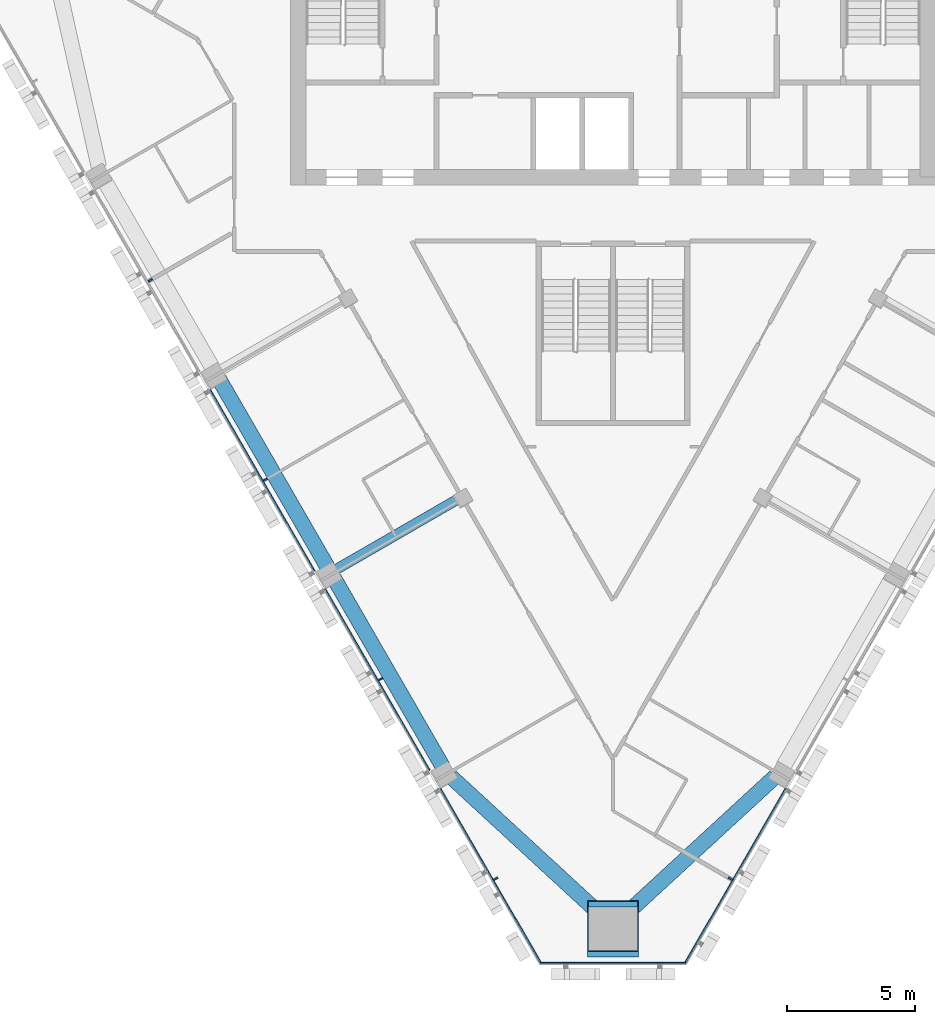
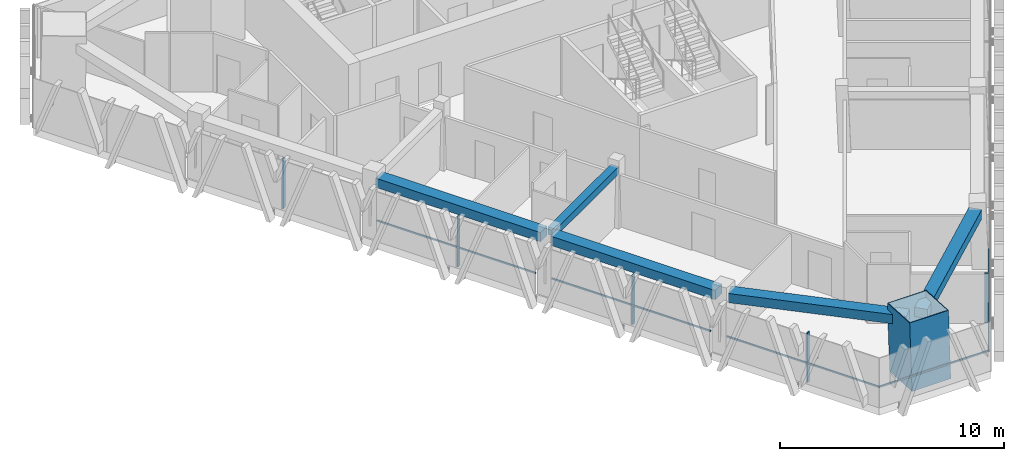
# One storey, part 2 of 14: 11 members, 5 beams, 3 elements without a shape of their own.
"""IFC4 building model written with IfcOpenShell, lengths in metres."""

from ifc_helpers import new_model, si_unit, direction, frame, origin, origin_2d, place, context, subcontext, project, spatial, rectangle, hollow_rectangle, extrude, material, layer, layer_set, material_profile, profile_set, type_object, element, aggregate, save


model = new_model("IFC4")

# Units and contexts
model_context = context("Model", 3, precision=1e-05, world=origin(), true_north=direction((0.0, 1.0)))
body_context = subcontext(model_context, "Body", "Model", "MODEL_VIEW")
ifc_project = project(units=[si_unit("LENGTHUNIT", "METRE"), si_unit("AREAUNIT", "SQUARE_METRE"), si_unit("VOLUMEUNIT", "CUBIC_METRE"), si_unit("PLANEANGLEUNIT", "RADIAN"), si_unit("MASSUNIT", "GRAM", prefix="KILO")], contexts=[model_context])

# Site, building, storey
site_placement = place(None, origin())
site = spatial("IfcSite", under=ifc_project, at=site_placement, CompositionType="ELEMENT")
building_placement = place(site_placement, origin())
building = spatial("IfcBuilding", under=site, at=building_placement, Name="Altiplano Prism Tower", CompositionType="ELEMENT")
storey_placement = place(building_placement, frame((0.0, 0.0, 226.60009765625)))
storey = spatial("IfcBuildingStorey", under=building, at=storey_placement, Name="L58", CompositionType="ELEMENT", Elevation=226.60009765625)

# Curtain wall, members
ifc_material_1 = material(Name="Aluminium and glass", Category="aluminium")
ifc_layer = layer(ifc_material_1, 0.280029296875)
ifc_layer_set = layer_set([ifc_layer], Name="Aluminium and glass")
curtain_wall_type = type_object("IfcCurtainWallType", Name="CW1 typical co-living unitised curtain wall", PredefinedType="NOTDEFINED", material=ifc_layer_set)
curtain_wall_1_placement = place(storey_placement, origin())
curtain_wall_1 = element("IfcCurtainWall", 1, at=curtain_wall_1_placement, inside=storey, type_object=curtain_wall_type, Name="CW1 curtain wall south-west face L58", PredefinedType="NOTDEFINED")
ifc_material_2 = material(Name="Aluminium", Category="aluminium")
ifc_material_profile_1 = material_profile(ifc_material_2, rectangle(XDim=0.179931640625, YDim=0.06494140625, at=origin_2d()), Name="CW1 mullion 65 x 180")
ifc_profile_set_1 = profile_set([ifc_material_profile_1], Name="Aluminium")
member_type_1 = type_object("IfcMemberType", Name="CW1 mullion 65 x 180", PredefinedType="MULLION", material=ifc_profile_set_1)
member_1_placement = place(storey_placement, frame((66.9130859375, 89.07080078125, 0.0), z_axis=(0.0, 0.0, 1.0), x_axis=(0.866025401725, 0.500000003567, 0.0)))
member_1 = element("IfcMember", 2, at=member_1_placement, type_object=member_type_1, Name="CW1 mullion", PredefinedType="MULLION", context=body_context, shape_type="SweptSolid", body=[
    extrude(rectangle(XDim=0.179931640625, YDim=0.06494140625, at=origin_2d()), origin(), (0.0, 0.0, 1.0), 2.699951171875),
])
member_2_placement = place(storey_placement, frame((71.4130859375, 81.276611328125, 0.0), z_axis=(0.0, 0.0, 1.0), x_axis=(0.866025401725, 0.500000003567, 0.0)))
member_2 = element("IfcMember", 3, at=member_2_placement, type_object=member_type_1, Name="CW1 mullion", PredefinedType="MULLION", context=body_context, shape_type="SweptSolid", body=[
    extrude(rectangle(XDim=0.179931640625, YDim=0.06494140625, at=origin_2d()), origin(), (0.0, 0.0, 1.0), 2.699951171875),
])
member_3_placement = place(storey_placement, frame((75.9130859375, 73.482421875, 0.0), z_axis=(0.0, 0.0, 1.0), x_axis=(0.866025401725, 0.500000003567, 0.0)))
member_3 = element("IfcMember", 4, at=member_3_placement, type_object=member_type_1, Name="CW1 mullion", PredefinedType="MULLION", context=body_context, shape_type="SweptSolid", body=[
    extrude(rectangle(XDim=0.179931640625, YDim=0.06494140625, at=origin_2d()), origin(), (0.0, 0.0, 1.0), 2.699951171875),
])
member_4_placement = place(storey_placement, frame((80.4130859375, 65.688232421875, 0.0), z_axis=(0.0, 0.0, 1.0), x_axis=(0.866025401725, 0.500000003567, 0.0)))
member_4 = element("IfcMember", 5, at=member_4_placement, type_object=member_type_1, Name="CW1 mullion", PredefinedType="MULLION", context=body_context, shape_type="SweptSolid", body=[
    extrude(rectangle(XDim=0.179931640625, YDim=0.06494140625, at=origin_2d()), origin(), (0.0, 0.0, 1.0), 2.699951171875),
])

# Curtain wall, member
curtain_wall_2_placement = place(storey_placement, origin())
curtain_wall_2 = element("IfcCurtainWall", 6, at=curtain_wall_2_placement, inside=storey, type_object=curtain_wall_type, Name="CW1 curtain wall south-east face L58", PredefinedType="NOTDEFINED")
member_5_placement = place(storey_placement, frame((89.5869140625, 65.688232421875, 0.0), z_axis=(0.0, 0.0, 1.0), x_axis=(-0.866025401725, 0.500000003567, 0.0)))
member_5 = element("IfcMember", 7, at=member_5_placement, type_object=member_type_1, Name="CW1 mullion", PredefinedType="MULLION", context=body_context, shape_type="SweptSolid", body=[
    extrude(rectangle(XDim=0.179931640625, YDim=0.06494140625, at=origin_2d()), origin(), (0.0, 0.0, 1.0), 2.699951171875),
])

# Member
ifc_material_profile_2 = material_profile(ifc_material_2, rectangle(XDim=0.06005859375, YDim=0.080078125, at=origin_2d()), Name="CW1 transom 80 x 60")
ifc_profile_set_2 = profile_set([ifc_material_profile_2], Name="Aluminium")
member_type_2 = type_object("IfcMemberType", Name="CW1 transom 80 x 60", PredefinedType="USERDEFINED", material=ifc_profile_set_2)
member_6_placement = place(storey_placement, frame((69.246826171875, 84.78857421875, 1.099853515625), z_axis=(0.499995783154, -0.866027838368, 0.0), x_axis=(0.866027838368, 0.499995783154, 0.0)))
member_6 = element("IfcMember", 8, at=member_6_placement, type_object=member_type_2, Name="CW1 transom", ObjectType="TRANSOM", PredefinedType="USERDEFINED", context=body_context, shape_type="SweptSolid", body=[
    extrude(rectangle(XDim=0.06005859375, YDim=0.080078125, at=origin_2d()), origin(), (0.0, 0.0, 1.0), 8.169921875),
])

member_7_placement = place(storey_placement, frame((73.746826171875, 76.994140625, 1.099853515625), z_axis=(0.500008722908, -0.866020367552, 0.0), x_axis=(0.866020367552, 0.500008722908, 0.0)))
member_7 = element("IfcMember", 9, at=member_7_placement, type_object=member_type_2, Name="CW1 transom", ObjectType="TRANSOM", PredefinedType="USERDEFINED", context=body_context, shape_type="SweptSolid", body=[
    extrude(rectangle(XDim=0.06005859375, YDim=0.080078125, at=origin_2d()), origin(), (0.0, 0.0, 1.0), 8.169677734375),
])

member_8_placement = place(storey_placement, frame((78.246826171875, 69.199951171875, 1.099853515625), z_axis=(0.499993700073, -0.866029041019, 0.0), x_axis=(0.866029041019, 0.499993700073, 0.0)))
member_8 = element("IfcMember", 10, at=member_8_placement, type_object=member_type_2, Name="CW1 transom", ObjectType="TRANSOM", PredefinedType="USERDEFINED", context=body_context, shape_type="SweptSolid", body=[
    extrude(rectangle(XDim=0.06005859375, YDim=0.080078125, at=origin_2d()), origin(), (0.0, 0.0, 1.0), 7.89501953125),
])

aggregate(curtain_wall_1, [member_1, member_2, member_6, member_3, member_7, member_4, member_8])

# Curtain wall, member
curtain_wall_3_placement = place(storey_placement, origin())
curtain_wall_3 = element("IfcCurtainWall", 11, at=curtain_wall_3_placement, inside=storey, type_object=curtain_wall_type, Name="CW1 curtain wall south chamfer L58", PredefinedType="NOTDEFINED")
member_9_placement = place(storey_placement, frame((82.1337890625, 62.397705078125, 1.099853515625), z_axis=(1.0, 0.0, 0.0), x_axis=(0.0, 1.0, 0.0)))
member_9 = element("IfcMember", 12, at=member_9_placement, type_object=member_type_2, Name="CW1 transom", ObjectType="TRANSOM", PredefinedType="USERDEFINED", context=body_context, shape_type="SweptSolid", body=[
    extrude(rectangle(XDim=0.06005859375, YDim=0.080078125, at=origin_2d()), origin(), (0.0, 0.0, 1.0), 5.732421875),
])
aggregate(curtain_wall_3, [member_9])

# Member
member_10_placement = place(storey_placement, frame((87.8056640625, 62.362548828125, 1.099853515625), z_axis=(0.499993700073, 0.866029041019, 0.0), x_axis=(-0.866029041019, 0.499993700073, 0.0)))
member_10 = element("IfcMember", 13, at=member_10_placement, type_object=member_type_2, Name="CW1 transom", ObjectType="TRANSOM", PredefinedType="USERDEFINED", context=body_context, shape_type="SweptSolid", body=[
    extrude(rectangle(XDim=0.06005859375, YDim=0.080078125, at=origin_2d()), origin(), (0.0, 0.0, 1.0), 7.89501953125),
])

aggregate(curtain_wall_2, [member_5, member_10])

# Beams
ifc_material_3 = material(Name="Concrete C60/75", Category="concrete")
ifc_material_profile_3 = material_profile(ifc_material_3, rectangle(XDim=0.60009765625, YDim=0.5, at=origin_2d()), Name="Edge beam 600x500")
ifc_profile_set_3 = profile_set([ifc_material_profile_3], Name="Concrete C60/75")
beam_type_1 = type_object("IfcBeamType", Name="Edge beam 600x500", PredefinedType="SPANDREL", material=ifc_profile_set_3)
for number, where, z_axis, x_axis, name in (
    (14, (69.595703125, 85.221435546875, 2.949951171875), (0.49998963237, -0.866031389456, 0.0), (0.866031389456, 0.49998963237, 0.0), "Edge beam P12-P13 L59"),
    (15, (74.095703125, 77.42724609375, 2.949951171875), (0.49998963237, -0.866031389456, 0.0), (0.866031389456, 0.49998963237, 0.0), "Edge beam P13-P14 L59"),
):
    element("IfcBeam", number, at=place(storey_placement, frame(where, z_axis=z_axis, x_axis=x_axis)), inside=storey, type_object=beam_type_1, Name=name, PredefinedType="SPANDREL", context=body_context, shape_type="SweptSolid", body=[
        extrude(rectangle(XDim=0.60009765625, YDim=0.5, at=origin_2d()), origin(), (0.0, 0.0, 1.0), 8.489990234375),
    ])
for number, where, z_axis, x_axis, name in (
    (16, (78.6689453125, 69.6689453125, 2.949951171875), (0.7355717942, -0.677446776934, 0.0), (0.677446776934, 0.7355717942, 0.0), "Edge beam P14-M1 L59"),
    (17, (85.3310546875, 64.14306640625, 2.949951171875), (0.7355717942, 0.677446776934, 0.0), (-0.677446776934, 0.7355717942, 0.0), "Edge beam M1-P21 L59"),
):
    element("IfcBeam", number, at=place(storey_placement, frame(where, z_axis=z_axis, x_axis=x_axis)), inside=storey, type_object=beam_type_1, Name=name, PredefinedType="SPANDREL", context=body_context, shape_type="SweptSolid", body=[
        extrude(rectangle(XDim=0.60009765625, YDim=0.5, at=origin_2d()), origin(), (0.0, 0.0, 1.0), 8.156982421875),
    ])

# Member
ifc_material_4 = material(Name="Steel S460", Category="steel")
ifc_material_profile_4 = material_profile(ifc_material_4, hollow_rectangle(XDim=2.0, YDim=2.0, WallThickness=0.0400390625, at=origin_2d()), Name="Mega column tube 2000")
ifc_profile_set_4 = profile_set([ifc_material_profile_4], Name="Steel S460")
member_type_3 = type_object("IfcMemberType", Name="Mega column tube 2000", PredefinedType="POST", material=ifc_profile_set_4)
member_11_placement = place(storey_placement, frame((85.0, 63.627685546875, 0.0), z_axis=(0.0, 0.058360852261, 0.998295552892), x_axis=(-1.0, 0.0, 0.0)))
element("IfcMember", 18, at=member_11_placement, inside=storey, type_object=member_type_3, Name="Mega column tube M1 L58", PredefinedType="POST", context=body_context, shape_type="SweptSolid", body=[
    extrude(hollow_rectangle(XDim=2.0, YDim=2.0, WallThickness=0.0400390625, at=origin_2d()), origin(), (0.0, 0.0, 1.0), 3.60595703125),
])

# Beam
ifc_material_profile_5 = material_profile(ifc_material_3, rectangle(XDim=0.39990234375, YDim=0.39990234375, at=origin_2d()), Name="Tie beam 400x400")
ifc_profile_set_5 = profile_set([ifc_material_profile_5], Name="Concrete C60/75")
beam_type_2 = type_object("IfcBeamType", Name="Tie beam 400x400", PredefinedType="BEAM", material=ifc_profile_set_5)
beam_placement = place(storey_placement, frame((79.073486328125, 80.595458984375, 3.0), z_axis=(-0.866045024864, -0.499966013754, 0.0), x_axis=(0.499966013754, -0.866045024864, 0.0)))
element("IfcBeam", 19, at=beam_placement, inside=storey, type_object=beam_type_2, Name="Tie beam I13 L59", PredefinedType="BEAM", context=body_context, shape_type="SweptSolid", body=[
    extrude(rectangle(XDim=0.39990234375, YDim=0.39990234375, at=origin_2d()), origin(), (0.0, 0.0, 1.0), 5.64013671875),
])

save(model, "model.ifc")
